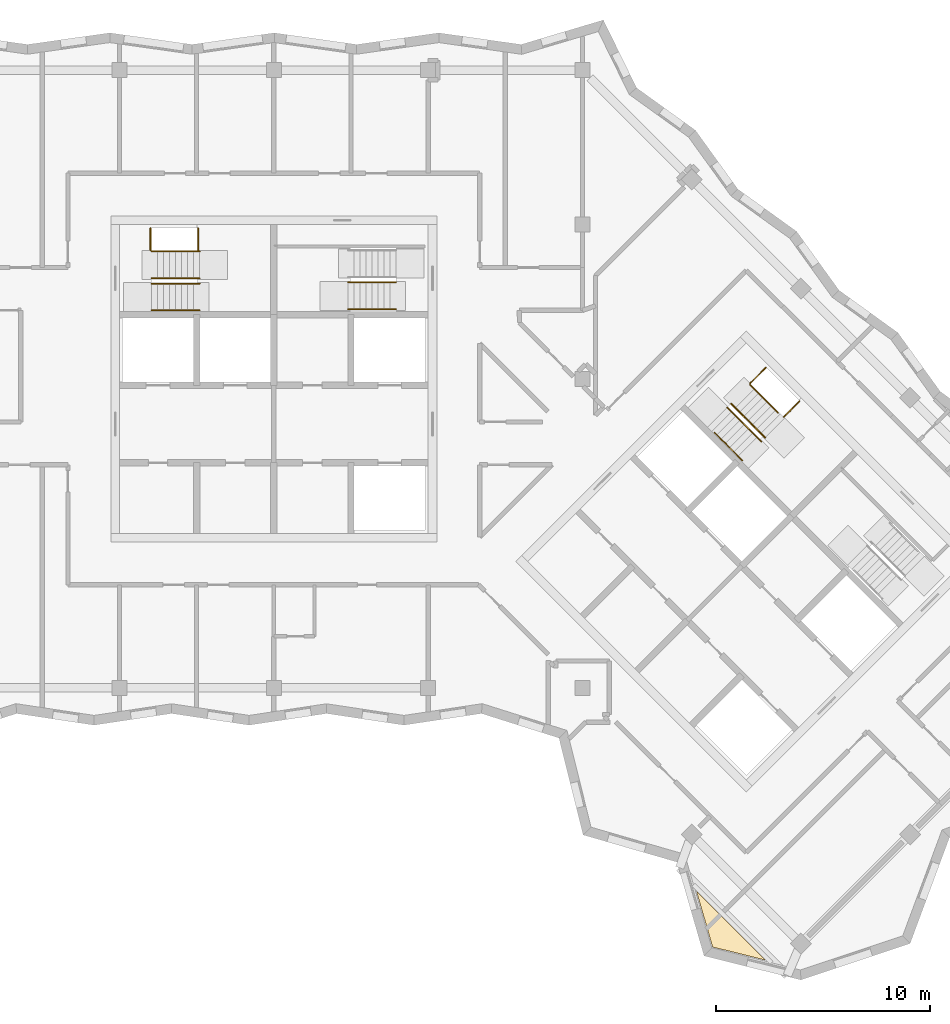
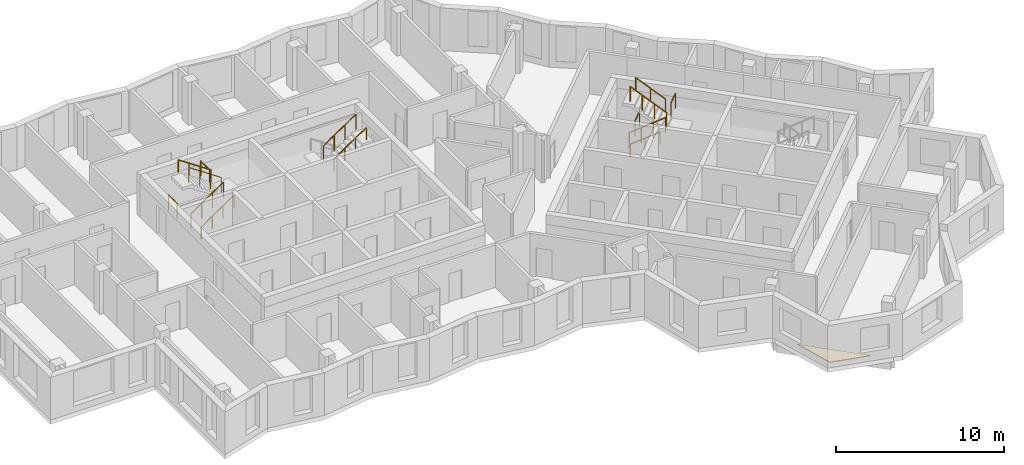
# One storey, part 9 of 11: 14 railings, 1 covering.
"""IFC4 building model written with IfcOpenShell, lengths in metres."""

import ifcopenshell
import ifcopenshell.guid

model = None  # the IFC model being written
_history = None  # IfcOwnerHistory: only IFC2X3 demands one
_inside = {}  # id of a spatial element -> (the spatial element, [elements in it])
_under = {}  # id of a project, library or spatial element -> (it, [spatial elements below it])
_declared = {}  # id of a project -> (the project, [libraries it declares])
_typed = {}  # id of a type object -> (the type object, [elements of that type])
_made_of = {}  # id of a material, layer set ... -> (it, [elements and type objects made of it])


def new_model(schema):
    """Start an empty IFC model of exactly this schema.

    Asked for "IFC4X3", IfcOpenShell would pick the latest addendum, in which some entities
    have other attributes; the version numbers below select the first issue.
    IFC2X3 requires an IfcOwnerHistory on every rooted entity: one is made here for all.
    """
    global model, _history
    if schema == "IFC4X3":
        model = ifcopenshell.file(schema_version=(4, 3, 0, 0))
    else:
        model = ifcopenshell.file(schema=schema)
    _inside.clear()
    _under.clear()
    _declared.clear()
    _typed.clear()
    _made_of.clear()
    _history = None
    if model.schema == "IFC2X3":
        org = make("IfcOrganization", Name="unknown")
        user = make(
            "IfcPersonAndOrganization",
            ThePerson=make("IfcPerson", FamilyName="unknown"),
            TheOrganization=org,
        )
        app = make(
            "IfcApplication",
            ApplicationDeveloper=org,
            Version="unknown",
            ApplicationFullName="unknown",
            ApplicationIdentifier="unknown",
        )
        _history = make(
            "IfcOwnerHistory",
            OwningUser=user,
            OwningApplication=app,
            ChangeAction="ADDED",
            CreationDate=0,
        )
    return model


def make(cls, **values):
    """One entity of the class cls with the attributes given. An attribute that is None is left unset."""
    return model.create_entity(
        cls, **{name: value for name, value in values.items() if value is not None}
    )


def rooted(cls, **values):
    """An entity with a GlobalId (a new one), such as an element, a storey or a relation."""
    return make(cls, GlobalId=ifcopenshell.guid.new(), OwnerHistory=_history, **values)


def si_unit(unit_type, name, prefix=None):
    """IfcSIUnit, for example si_unit("LENGTHUNIT", "METRE", prefix="MILLI")."""
    return make("IfcSIUnit", UnitType=unit_type, Prefix=prefix, Name=name)


def assignment(units):
    """IfcUnitAssignment: the units of a project."""
    return None if units is None else make("IfcUnitAssignment", Units=units)


def point(xyz):
    """IfcCartesianPoint."""
    return None if xyz is None else make("IfcCartesianPoint", Coordinates=xyz)


def direction(xyz):
    """IfcDirection."""
    return None if xyz is None else make("IfcDirection", DirectionRatios=xyz)


def frame(location, z_axis=None, x_axis=None):
    """IfcAxis2Placement3D, a coordinate frame: its origin and axes. An axis left out is left unset."""
    return make(
        "IfcAxis2Placement3D",
        Location=point(location),
        Axis=direction(z_axis),
        RefDirection=direction(x_axis),
    )


def frame_2d(location, x_axis=None):
    """IfcAxis2Placement2D, a coordinate frame in the plane: its origin and x axis."""
    return make(
        "IfcAxis2Placement2D", Location=point(location), RefDirection=direction(x_axis)
    )


def origin():
    """The frame at (0, 0, 0) with its axes left unset."""
    return frame((0.0, 0.0, 0.0))


def origin_2d():
    """The frame at (0, 0) in the plane with its x axis left unset."""
    return frame_2d((0.0, 0.0))


def place(relative_to, where):
    """IfcLocalPlacement: puts the frame where relative to a parent placement (None: the world)."""
    return make(
        "IfcLocalPlacement", PlacementRelTo=relative_to, RelativePlacement=where
    )


def context(
    kind, dimensions, precision=None, world=None, true_north=None, identifier=None
):
    """IfcGeometricRepresentationContext, for example the 3D "Model" context."""
    return make(
        "IfcGeometricRepresentationContext",
        ContextIdentifier=identifier,
        ContextType=kind,
        CoordinateSpaceDimension=dimensions,
        Precision=precision,
        WorldCoordinateSystem=world,
        TrueNorth=true_north,
    )


def subcontext(parent, identifier, kind, view, scale=None):
    """IfcGeometricRepresentationSubContext, for example "Body" below "Model"."""
    return make(
        "IfcGeometricRepresentationSubContext",
        ContextIdentifier=identifier,
        ContextType=kind,
        ParentContext=parent,
        TargetScale=scale,
        TargetView=view,
    )


def project(units=None, contexts=None):
    """IfcProject with its units and contexts."""
    return rooted(
        "IfcProject",
        Name="project",
        RepresentationContexts=contexts,
        UnitsInContext=assignment(units),
    )


def spatial(cls, under=None, at=None, **own):
    """A site, building, storey or space (cls), placed at a placement, below another one or the project."""
    s = rooted(cls, ObjectPlacement=at, **own)
    if under is not None:
        _under.setdefault(under.id(), (under, []))[1].append(s)
    return s


def polyline(points):
    """IfcPolyline through the points."""
    return make("IfcPolyline", Points=[point(p) for p in points])


def profile(cls, at=None, kind="AREA", **sizes):
    """A parametric profile (cls). Its sizes go by their IFC names, for example OverallWidth=200.0."""
    return make(cls, ProfileType=kind, Position=at, **sizes)


def circle(**sizes):
    """IfcCircleProfileDef."""
    return profile("IfcCircleProfileDef", **sizes)


def outline(outer, holes=None, kind="AREA"):
    """IfcArbitraryClosedProfileDef: a profile drawn as a closed curve; with holes, ...WithVoids."""
    if holes is None:
        return make("IfcArbitraryClosedProfileDef", ProfileType=kind, OuterCurve=outer)
    return make(
        "IfcArbitraryProfileDefWithVoids",
        ProfileType=kind,
        OuterCurve=outer,
        InnerCurves=holes,
    )


def extrude(swept, where, along, depth):
    """IfcExtrudedAreaSolid: the profile swept, set in the frame where, extruded along a direction by depth."""
    return make(
        "IfcExtrudedAreaSolid",
        SweptArea=swept,
        Position=where,
        ExtrudedDirection=direction(along),
        Depth=depth,
    )


def shape(context_of_items, identifier, shape_type, items):
    """IfcShapeRepresentation: the items that make up one representation, for example the "Body"."""
    return make(
        "IfcShapeRepresentation",
        ContextOfItems=context_of_items,
        RepresentationIdentifier=identifier,
        RepresentationType=shape_type,
        Items=items,
    )


def material(Name=None, Category=None):
    """IfcMaterial."""
    return make("IfcMaterial", Name=Name, Category=Category)


def layer(
    of_material, thickness, ventilated=None, Name=None, Category=None, Priority=None
):
    """IfcMaterialLayer: one layer of a wall or slab, of a material (None: an air gap)."""
    return make(
        "IfcMaterialLayer",
        Material=of_material,
        LayerThickness=thickness,
        IsVentilated=ventilated,
        Name=Name,
        Category=Category,
        Priority=Priority,
    )


def layer_set(layers, Name=None):
    """IfcMaterialLayerSet."""
    return make("IfcMaterialLayerSet", MaterialLayers=layers, LayerSetName=Name)


def made_of(thing, what):
    """Note that an element or type object is made of a material, layer set ...; save() writes the relation."""
    if what is not None:
        _made_of.setdefault(what.id(), (what, []))[1].append(thing)
    return thing


def type_object(cls, material=None, **own):
    """A type object (cls), such as IfcWallType, which elements share."""
    return made_of(rooted(cls, **own), material)


def element(
    cls,
    number,
    at=None,
    inside=None,
    cuts=None,
    type_object=None,
    material=None,
    context=None,
    identifier="Body",
    shape_type=None,
    held_by="IfcProductDefinitionShape",
    body=None,
    shapes=None,
    **own,
):
    """One element of the class cls, such as IfcWall. Its Tag is "e" and its number.

    at: its placement. inside: the storey or other place that contains it. cuts: it is an
    opening in that element (IfcRelVoidsElement). A single representation is given by context,
    identifier, shape_type and body (its items); several are given by shapes. held_by: the class
    of the entity that holds the representations. save() writes the other relations.
    """
    e = rooted(cls, Tag="e%d" % number, ObjectPlacement=at, **own)
    if body is not None:
        shapes = [shape(context, identifier, shape_type, body)]
    if shapes is not None:
        e.Representation = make(held_by, Representations=shapes)
    if inside is not None:
        _inside.setdefault(inside.id(), (inside, []))[1].append(e)
    if cuts is not None:
        rooted(
            "IfcRelVoidsElement", RelatingBuildingElement=cuts, RelatedOpeningElement=e
        )
    if type_object is not None:
        _typed.setdefault(type_object.id(), (type_object, []))[1].append(e)
    return made_of(e, material)


def aggregate(whole, parts):
    """IfcRelAggregates: a whole, such as a stair, and the parts it consists of."""
    return rooted("IfcRelAggregates", RelatingObject=whole, RelatedObjects=parts)


def save(model, path):
    """Write the relations noted so far, then the file.

    IfcRelAggregates (storeys below a building ...), IfcRelContainedInSpatialStructure (elements
    in a storey), IfcRelDefinesByType, IfcRelAssociatesMaterial and IfcRelDeclares: one each for
    every whole, place, type object, material and project.
    """
    for whole, parts in _under.values():
        aggregate(whole, parts)
    for where, things in _inside.values():
        rooted(
            "IfcRelContainedInSpatialStructure",
            RelatedElements=things,
            RelatingStructure=where,
        )
    for kind, things in _typed.values():
        rooted("IfcRelDefinesByType", RelatedObjects=things, RelatingType=kind)
    for what, things in _made_of.values():
        rooted("IfcRelAssociatesMaterial", RelatedObjects=things, RelatingMaterial=what)
    for by, libraries in _declared.values():
        rooted("IfcRelDeclares", RelatingContext=by, RelatedDefinitions=libraries)
    model.write(path)


model = new_model("IFC4")

# Units and contexts
model_context = context("Model", 3, precision=1e-05, world=origin(), true_north=direction((0.0, 1.0)))
body_context = subcontext(model_context, "Body", "Model", "MODEL_VIEW")
ifc_project = project(units=[si_unit("LENGTHUNIT", "METRE"), si_unit("AREAUNIT", "SQUARE_METRE"), si_unit("VOLUMEUNIT", "CUBIC_METRE"), si_unit("PLANEANGLEUNIT", "RADIAN"), si_unit("MASSUNIT", "GRAM", prefix="KILO")], contexts=[model_context])

# Site, building, storey
site_placement = place(None, origin())
site = spatial("IfcSite", under=ifc_project, at=site_placement, CompositionType="ELEMENT")
building_placement = place(site_placement, origin())
building = spatial("IfcBuilding", under=site, at=building_placement, Name="Windrow Commons", CompositionType="ELEMENT")
storey_placement = place(building_placement, frame((0.0, 0.0, 271.0)))
storey = spatial("IfcBuildingStorey", under=building, at=storey_placement, Name="L74", CompositionType="ELEMENT", Elevation=271.0)

# Railings
ifc_material_1 = material(Name="Steel S355", Category="steel")
railing_type_1 = type_object("IfcRailingType", Name="Core stair guard 1100", PredefinedType="GUARDRAIL", material=ifc_material_1)
railing_1_placement = place(storey_placement, frame((59.1, 62.05, 0.1889)))
element("IfcRailing", 1, at=railing_1_placement, inside=storey, type_object=railing_type_1, Name="L74 ST-A1 stair guard 1", PredefinedType="GUARDRAIL", context=body_context, shape_type="SweptSolid", body=[
    extrude(circle(Radius=0.024, at=origin_2d()), frame((0.0, 0.0, 1.076), z_axis=(0.8290030985, 0.0, 0.5592440099), x_axis=(0.0, 1.0, 0.0)), (0.0, 0.0, 1.0), 2.702),
    extrude(circle(Radius=0.021, at=origin_2d()), origin(), (0.0, 0.0, 1.0), 1.052),
    extrude(circle(Radius=0.021, at=origin_2d()), frame((0.7467, 0.0, 0.5037)), (0.0, 0.0, 1.0), 1.052),
    extrude(circle(Radius=0.021, at=origin_2d()), frame((1.4933, 0.0, 1.0074)), (0.0, 0.0, 1.0), 1.052),
    extrude(circle(Radius=0.021, at=origin_2d()), frame((2.24, 0.0, 1.5111)), (0.0, 0.0, 1.0), 1.052),
])
railing_2_placement = place(storey_placement, frame((61.34, 62.3, 1.8889)))
element("IfcRailing", 2, at=railing_2_placement, inside=storey, type_object=railing_type_1, Name="L74 ST-A1 stair guard 2", PredefinedType="GUARDRAIL", context=body_context, shape_type="SweptSolid", body=[
    extrude(circle(Radius=0.024, at=origin_2d()), frame((0.0, 0.0, 1.076), z_axis=(-0.8290030985, 0.0, 0.5592440099), x_axis=(0.0, -1.0, 0.0)), (0.0, 0.0, 1.0), 2.702),
    extrude(circle(Radius=0.021, at=origin_2d()), origin(), (0.0, 0.0, 1.0), 1.052),
    extrude(circle(Radius=0.021, at=origin_2d()), frame((-0.7467, 0.0, 0.5037)), (0.0, 0.0, 1.0), 1.052),
    extrude(circle(Radius=0.021, at=origin_2d()), frame((-1.4933, 0.0, 1.0074)), (0.0, 0.0, 1.0), 1.052),
    extrude(circle(Radius=0.021, at=origin_2d()), frame((-2.24, 0.0, 1.5111)), (0.0, 0.0, 1.0), 1.052),
])
for number, where, name in (
    (3, (59.05, 63.6, 0.0), "L74 ST-A1 stair guard 3"),
    (4, (61.27, 63.6, 1.7), "L74 ST-A1 stair guard 4"),
):
    element("IfcRailing", number, at=place(storey_placement, frame(where)), inside=storey, type_object=railing_type_1, Name=name, PredefinedType="GUARDRAIL", context=body_context, shape_type="SweptSolid", body=[
        extrude(circle(Radius=0.024, at=origin_2d()), frame((0.0, 0.0, 1.076), z_axis=(0.0, 1.0, 0.0), x_axis=(-1.0, 0.0, 0.0)), (0.0, 0.0, 1.0), 1.03),
        extrude(circle(Radius=0.021, at=origin_2d()), origin(), (0.0, 0.0, 1.0), 1.052),
        extrude(circle(Radius=0.021, at=origin_2d()), frame((0.0, 1.03, 0.0)), (0.0, 0.0, 1.0), 1.052),
    ])
railing_3_placement = place(storey_placement, frame((68.26, 62.105, 1.8889)))
element("IfcRailing", 5, at=railing_3_placement, inside=storey, type_object=railing_type_1, Name="L74 ST-A2 stair guard 2", PredefinedType="GUARDRAIL", context=body_context, shape_type="SweptSolid", body=[
    extrude(circle(Radius=0.024, at=origin_2d()), frame((0.0, 0.0, 1.076), z_axis=(0.8290030985, 0.0, 0.5592440099), x_axis=(0.0, 1.0, 0.0)), (0.0, 0.0, 1.0), 2.702),
    extrude(circle(Radius=0.021, at=origin_2d()), origin(), (0.0, 0.0, 1.0), 1.052),
    extrude(circle(Radius=0.021, at=origin_2d()), frame((0.7467, 0.0, 0.5037)), (0.0, 0.0, 1.0), 1.052),
    extrude(circle(Radius=0.021, at=origin_2d()), frame((1.4933, 0.0, 1.0074)), (0.0, 0.0, 1.0), 1.052),
    extrude(circle(Radius=0.021, at=origin_2d()), frame((2.24, 0.0, 1.5111)), (0.0, 0.0, 1.0), 1.052),
])
railing_4_placement = place(storey_placement, frame((85.9529, 56.2669, 0.1889)))
element("IfcRailing", 6, at=railing_4_placement, inside=storey, type_object=railing_type_1, Name="L74 ST-B1 stair guard 1", PredefinedType="GUARDRAIL", context=body_context, shape_type="SweptSolid", body=[
    extrude(circle(Radius=0.024, at=origin_2d()), frame((0.0, 0.0, 1.076), z_axis=(0.5861914914, -0.5861914914, 0.5592486664), x_axis=(0.7071067812, 0.7071067812, 0.0)), (0.0, 0.0, 1.0), 2.702),
    extrude(circle(Radius=0.021, at=origin_2d()), origin(), (0.0, 0.0, 1.0), 1.052),
    extrude(circle(Radius=0.021, at=origin_2d()), frame((0.528, -0.528, 0.5037)), (0.0, 0.0, 1.0), 1.052),
    extrude(circle(Radius=0.021, at=origin_2d()), frame((1.0559, -1.0559, 1.0074)), (0.0, 0.0, 1.0), 1.052),
    extrude(circle(Radius=0.021, at=origin_2d()), frame((1.5839, -1.5839, 1.5111)), (0.0, 0.0, 1.0), 1.052),
])
railing_5_placement = place(storey_placement, frame((87.7136, 54.8597, 1.8889)))
element("IfcRailing", 7, at=railing_5_placement, inside=storey, type_object=railing_type_1, Name="L74 ST-B1 stair guard 2", PredefinedType="GUARDRAIL", context=body_context, shape_type="SweptSolid", body=[
    extrude(circle(Radius=0.024, at=origin_2d()), frame((0.0, 0.0, 1.076), z_axis=(-0.5862030657, 0.5862030657, 0.5592244018), x_axis=(-0.7071067812, -0.7071067812, 0.0)), (0.0, 0.0, 1.0), 2.7021),
    extrude(circle(Radius=0.021, at=origin_2d()), origin(), (0.0, 0.0, 1.0), 1.052),
    extrude(circle(Radius=0.021, at=origin_2d()), frame((-0.528, 0.528, 0.5037)), (0.0, 0.0, 1.0), 1.052),
    extrude(circle(Radius=0.021, at=origin_2d()), frame((-1.056, 1.056, 1.0074)), (0.0, 0.0, 1.0), 1.052),
    extrude(circle(Radius=0.021, at=origin_2d()), frame((-1.584, 1.584, 1.5111)), (0.0, 0.0, 1.0), 1.052),
])
railing_6_placement = place(storey_placement, frame((87.0135, 57.3982, 0.0)))
element("IfcRailing", 8, at=railing_6_placement, inside=storey, type_object=railing_type_1, Name="L74 ST-B1 stair guard 3", PredefinedType="GUARDRAIL", context=body_context, shape_type="SweptSolid", body=[
    extrude(circle(Radius=0.024, at=origin_2d()), frame((0.0, 0.0, 1.076), z_axis=(0.7070582378, 0.7071553212, 0.0), x_axis=(-0.7071553212, 0.7070582378, 0.0)), (0.0, 0.0, 1.0), 1.03),
    extrude(circle(Radius=0.021, at=origin_2d()), origin(), (0.0, 0.0, 1.0), 1.052),
    extrude(circle(Radius=0.021, at=origin_2d()), frame((0.7283, 0.7284, 0.0)), (0.0, 0.0, 1.0), 1.052),
])
railing_7_placement = place(storey_placement, frame((88.5833, 55.8285, 1.7)))
element("IfcRailing", 9, at=railing_7_placement, inside=storey, type_object=railing_type_1, Name="L74 ST-B1 stair guard 4", PredefinedType="GUARDRAIL", context=body_context, shape_type="SweptSolid", body=[
    extrude(circle(Radius=0.024, at=origin_2d()), frame((0.0, 0.0, 1.076), z_axis=(0.7071067812, 0.7071067812, 0.0), x_axis=(-0.7071067812, 0.7071067812, 0.0)), (0.0, 0.0, 1.0), 1.03),
    extrude(circle(Radius=0.021, at=origin_2d()), origin(), (0.0, 0.0, 1.0), 1.052),
    extrude(circle(Radius=0.021, at=origin_2d()), frame((0.7283, 0.7283, 0.0)), (0.0, 0.0, 1.0), 1.052),
])
ifc_material_2 = material(Name="Steel S355", Category="steel")
railing_type_2 = type_object("IfcRailingType", Name="Core stair handrail 900", PredefinedType="HANDRAIL", material=ifc_material_2)
railing_8_placement = place(storey_placement, frame((59.1, 60.8, 0.1889)))
element("IfcRailing", 10, at=railing_8_placement, inside=storey, type_object=railing_type_2, Name="L74 ST-A1 stair handrail 1", PredefinedType="HANDRAIL", context=body_context, shape_type="SweptSolid", body=[
    extrude(circle(Radius=0.024, at=origin_2d()), frame((0.0, 0.0, 0.876), z_axis=(0.8290030985, 0.0, 0.5592440099), x_axis=(0.0, 1.0, 0.0)), (0.0, 0.0, 1.0), 2.702),
    extrude(circle(Radius=0.021, at=origin_2d()), origin(), (0.0, 0.0, 1.0), 0.852),
    extrude(circle(Radius=0.021, at=origin_2d()), frame((0.7467, 0.0, 0.5037)), (0.0, 0.0, 1.0), 0.852),
    extrude(circle(Radius=0.021, at=origin_2d()), frame((1.4933, 0.0, 1.0074)), (0.0, 0.0, 1.0), 0.852),
    extrude(circle(Radius=0.021, at=origin_2d()), frame((2.24, 0.0, 1.5111)), (0.0, 0.0, 1.0), 0.852),
])
railing_9_placement = place(storey_placement, frame((61.34, 63.55, 1.8889)))
element("IfcRailing", 11, at=railing_9_placement, inside=storey, type_object=railing_type_2, Name="L74 ST-A1 stair handrail 2", PredefinedType="HANDRAIL", context=body_context, shape_type="SweptSolid", body=[
    extrude(circle(Radius=0.024, at=origin_2d()), frame((0.0, 0.0, 0.876), z_axis=(-0.8290030985, 0.0, 0.5592440099), x_axis=(0.0, -1.0, 0.0)), (0.0, 0.0, 1.0), 2.702),
    extrude(circle(Radius=0.021, at=origin_2d()), origin(), (0.0, 0.0, 1.0), 0.852),
    extrude(circle(Radius=0.021, at=origin_2d()), frame((-0.7467, 0.0, 0.5037)), (0.0, 0.0, 1.0), 0.852),
    extrude(circle(Radius=0.021, at=origin_2d()), frame((-1.4933, 0.0, 1.0074)), (0.0, 0.0, 1.0), 0.852),
    extrude(circle(Radius=0.021, at=origin_2d()), frame((-2.24, 0.0, 1.5111)), (0.0, 0.0, 1.0), 0.852),
])
railing_10_placement = place(storey_placement, frame((68.26, 60.855, 1.8889)))
element("IfcRailing", 12, at=railing_10_placement, inside=storey, type_object=railing_type_2, Name="L74 ST-A2 stair handrail 2", PredefinedType="HANDRAIL", context=body_context, shape_type="SweptSolid", body=[
    extrude(circle(Radius=0.024, at=origin_2d()), frame((0.0, 0.0, 0.876), z_axis=(0.8290030985, 0.0, 0.5592440099), x_axis=(0.0, 1.0, 0.0)), (0.0, 0.0, 1.0), 2.702),
    extrude(circle(Radius=0.021, at=origin_2d()), origin(), (0.0, 0.0, 1.0), 0.852),
    extrude(circle(Radius=0.021, at=origin_2d()), frame((0.7467, 0.0, 0.5037)), (0.0, 0.0, 1.0), 0.852),
    extrude(circle(Radius=0.021, at=origin_2d()), frame((1.4933, 0.0, 1.0074)), (0.0, 0.0, 1.0), 0.852),
    extrude(circle(Radius=0.021, at=origin_2d()), frame((2.24, 0.0, 1.5111)), (0.0, 0.0, 1.0), 0.852),
])
railing_11_placement = place(storey_placement, frame((85.3518, 55.1001, 0.4587)))
element("IfcRailing", 13, at=railing_11_placement, inside=storey, type_object=railing_type_2, Name="L74 ST-B1 stair handrail 1", PredefinedType="HANDRAIL", context=body_context, shape_type="SweptSolid", body=[
    extrude(circle(Radius=0.024, at=origin_2d()), frame((0.0, 0.0, 0.876), z_axis=(0.586206706, -0.5861616513, 0.5592639952), x_axis=(0.7070796062, 0.7071339551, 0.0)), (0.0, 0.0, 1.0), 2.2195),
    extrude(circle(Radius=0.021, at=origin_2d()), origin(), (0.0, 0.0, 1.0), 0.852),
    extrude(circle(Radius=0.021, at=origin_2d()), frame((0.6506, -0.6505, 0.6206)), (0.0, 0.0, 1.0), 0.852),
    extrude(circle(Radius=0.021, at=origin_2d()), frame((1.3011, -1.301, 1.2413)), (0.0, 0.0, 1.0), 0.852),
])
railing_12_placement = place(storey_placement, frame((88.3146, 56.0265, 2.1587)))
element("IfcRailing", 14, at=railing_12_placement, inside=storey, type_object=railing_type_2, Name="L74 ST-B1 stair handrail 2", PredefinedType="HANDRAIL", context=body_context, shape_type="SweptSolid", body=[
    extrude(circle(Radius=0.024, at=origin_2d()), frame((0.0, 0.0, 0.876), z_axis=(-0.586206706, 0.5861616513, 0.5592639952), x_axis=(-0.7070796062, -0.7071339551, 0.0)), (0.0, 0.0, 1.0), 2.2195),
    extrude(circle(Radius=0.021, at=origin_2d()), origin(), (0.0, 0.0, 1.0), 0.852),
    extrude(circle(Radius=0.021, at=origin_2d()), frame((-0.6506, 0.6505, 0.6206)), (0.0, 0.0, 1.0), 0.852),
    extrude(circle(Radius=0.021, at=origin_2d()), frame((-1.3011, 1.301, 1.2413)), (0.0, 0.0, 1.0), 0.852),
])

# Covering
ifc_material_3 = material(Name="Granite pavers on waterproofing membrane", Category="masonry")
ifc_layer = layer(ifc_material_3, 0.05)
ifc_layer_set = layer_set([ifc_layer], Name="Terrace roofing 50")
covering_type = type_object("IfcCoveringType", Name="Terrace roofing 50", PredefinedType="ROOFING", material=ifc_layer_set)
covering_placement = place(storey_placement, origin())
element("IfcCovering", 15, at=covering_placement, inside=storey, type_object=covering_type, Name="Terrace roofing TR-L74-1", PredefinedType="ROOFING", context=body_context, shape_type="SweptSolid", body=[
    extrude(outline(polyline([(87.7363, 30.4983), (85.2644, 31.1133), (84.5092, 33.7255), (87.7363, 30.4983)])), origin(), (0.0, 0.0, 1.0), 0.05),
])

save(model, "model.ifc")
